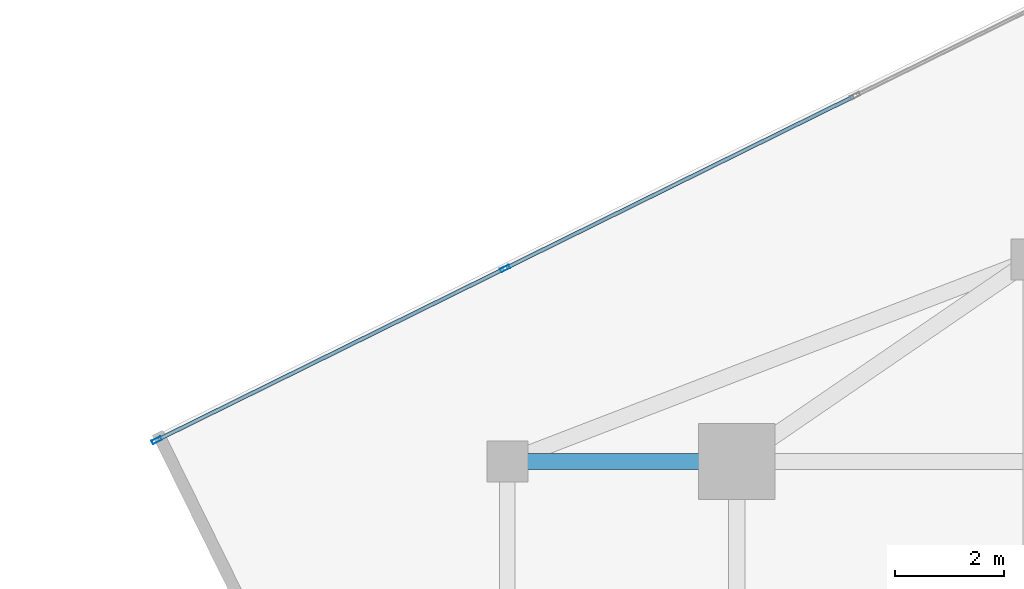
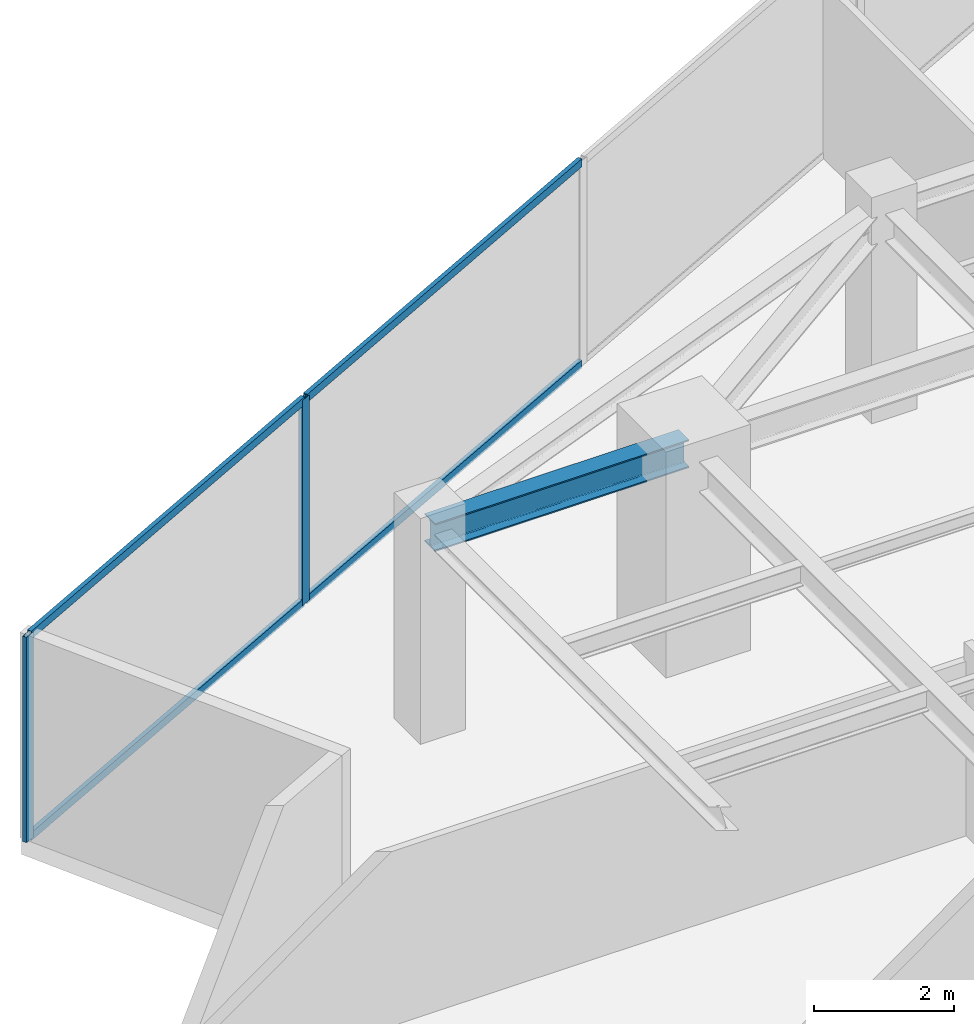
# One storey, part 12 of 22: 6 members, 1 beam, 1 element without a shape of its own.
"""IFC4 building model written with IfcOpenShell, lengths in metres."""

from ifc_helpers import new_model, si_unit, direction, frame, origin, origin_2d, place, context, subcontext, project, spatial, hollow_rectangle, i_section, extrude, source, transform, mapped, material, material_profile, profile_set, type_object, type_shapes, element, aggregate, save


model = new_model("IFC4")

# Units and contexts
model_context = context("Model", 3, precision=1e-05, world=origin(), true_north=direction((0.0, 1.0)))
body_context = subcontext(model_context, "Body", "Model", "MODEL_VIEW")
ifc_project = project(units=[si_unit("LENGTHUNIT", "METRE"), si_unit("AREAUNIT", "SQUARE_METRE"), si_unit("VOLUMEUNIT", "CUBIC_METRE"), si_unit("PLANEANGLEUNIT", "RADIAN"), si_unit("MASSUNIT", "GRAM", prefix="KILO")], contexts=[model_context])

# Site, building, storey
site_placement = place(None, origin())
site = spatial("IfcSite", under=ifc_project, at=site_placement, CompositionType="ELEMENT")
building_placement = place(site_placement, origin())
building = spatial("IfcBuilding", under=site, at=building_placement, Name="Krantzveldt Concourse Tower", CompositionType="ELEMENT")
storey_placement = place(building_placement, frame((0.0, 0.0, 314.800048828125)))
storey = spatial("IfcBuildingStorey", under=building, at=storey_placement, Name="L77", CompositionType="ELEMENT", Elevation=314.800048828125)

# Beam
ifc_material_1 = material(Name="Steel S355JR", Category="steel")
ifc_material_profile_1 = material_profile(ifc_material_1, i_section(OverallWidth=0.300048828125, OverallDepth=0.489990234375, WebThickness=0.011962890625, FlangeThickness=0.02294921875, FilletRadius=0.027099609375, at=origin_2d()), Name="Steel S355JR", Category="steel")
ifc_profile_set_1 = profile_set([ifc_material_profile_1], Name="Steel S355JR - HEA 500")
beam_type = type_object("IfcBeamType", Name="BM-B-HEA500", PredefinedType="BEAM", material=ifc_profile_set_1)
shared_shape_1 = source(origin(), body_context, "Body", "SweptSolid", [
    extrude(i_section(OverallWidth=0.300048828125, OverallDepth=0.489990234375, WebThickness=0.011962890625, FlangeThickness=0.02294921875, FilletRadius=0.027099609375, at=origin_2d()), origin(), (0.0, 0.0, 1.0), 4.199951171875),
])
type_shapes(beam_type, [shared_shape_1])
beam_placement = place(storey_placement, frame((21.0, 37.5, 3.344970703125), z_axis=(1.0, 0.0, 0.0), x_axis=(0.0, 1.0, 0.0)))
element("IfcBeam", 1, at=beam_placement, inside=storey, type_object=beam_type, Name="L77 Tower Girder BR-RL3", PredefinedType="BEAM", context=body_context, shape_type="MappedRepresentation", body=[
    mapped(shared_shape_1, transform((0.0, 0.0, 0.0), x_axis=(1.0, 0.0, 0.0), y_axis=(0.0, 1.0, 0.0), z_axis=(0.0, 0.0, 1.0), scale=1.0)),
])

# Curtain wall, members
ifc_material_2 = material(Name="Anodised aluminium 6063-T6", Category="aluminium")
curtain_wall_type = type_object("IfcCurtainWallType", Name="CW4", PredefinedType="USERDEFINED", material=ifc_material_2)
curtain_wall_placement = place(storey_placement, origin())
curtain_wall = element("IfcCurtainWall", 2, at=curtain_wall_placement, inside=storey, type_object=curtain_wall_type, Name="CW-L77-F01", ObjectType="UNITISED CURTAIN WALL", PredefinedType="USERDEFINED")
ifc_material_profile_2 = material_profile(ifc_material_2, hollow_rectangle(XDim=0.070068359375, YDim=0.179931640625, WallThickness=0.0048828125, at=origin_2d()), Name="Anodised aluminium 6063-T6", Category="aluminium")
ifc_profile_set_2 = profile_set([ifc_material_profile_2], Name="Anodised aluminium 6063-T6 - ALU-MULL 180x70x5")
member_type_1 = type_object("IfcMemberType", Name="CW-MUL-180", PredefinedType="MULLION", material=ifc_profile_set_2)
shared_shape_2 = source(origin(), body_context, "Body", "SweptSolid", [
    extrude(hollow_rectangle(XDim=0.070068359375, YDim=0.179931640625, WallThickness=0.0048828125, at=origin_2d()), origin(), (0.0, 0.0, 1.0), 3.58984375),
])
type_shapes(member_type_1, [shared_shape_2])
member_1_placement = place(storey_placement, frame((20.958251953125, 41.03564453125, 0.0), z_axis=(0.0, 0.0, 1.0), x_axis=(0.442288511927, -0.896872829457, 0.0)))
member_1 = element("IfcMember", 3, at=member_1_placement, type_object=member_type_1, Name="CW-Z56 mullion 4", PredefinedType="MULLION", context=body_context, shape_type="MappedRepresentation", body=[
    mapped(shared_shape_2, transform((0.0, 0.0, 0.0), x_axis=(1.0, 0.0, 0.0), y_axis=(0.0, 1.0, 0.0), z_axis=(0.0, 0.0, 1.0), scale=1.0)),
])
member_2_placement = place(storey_placement, frame((14.5771484375, 37.888671875, 0.0), z_axis=(0.0, 0.0, 1.0), x_axis=(0.442288511927, -0.896872829457, 0.0)))
member_2 = element("IfcMember", 4, at=member_2_placement, type_object=member_type_1, Name="CW-Z56 mullion 5", PredefinedType="MULLION", context=body_context, shape_type="MappedRepresentation", body=[
    mapped(shared_shape_2, transform((0.0, 0.0, 0.0), x_axis=(1.0, 0.0, 0.0), y_axis=(0.0, 1.0, 0.0), z_axis=(0.0, 0.0, 1.0), scale=1.0)),
])
ifc_material_profile_3 = material_profile(ifc_material_2, hollow_rectangle(XDim=0.070068359375, YDim=0.139892578125, WallThickness=0.0048828125, at=origin_2d()), Name="Anodised aluminium 6063-T6", Category="aluminium")
ifc_profile_set_3 = profile_set([ifc_material_profile_3], Name="Anodised aluminium 6063-T6 - ALU-TRAN 140x70x5")
member_type_2 = type_object("IfcMemberType", Name="CW-TRN-150", PredefinedType="USERDEFINED", material=ifc_profile_set_3)
shared_shape_3 = source(origin(), body_context, "Body", "SweptSolid", [
    extrude(hollow_rectangle(XDim=0.070068359375, YDim=0.139892578125, WallThickness=0.0048828125, at=origin_2d()), origin(), (0.0, 0.0, 1.0), 7.080078125),
])
member_3_placement = place(storey_placement, frame((27.339599609375, 44.1826171875, 0.034912109375), z_axis=(-0.896862063633, -0.442310342198, 0.0), x_axis=(0.442310342198, -0.896862063633, 0.0)))
member_3 = element("IfcMember", 5, at=member_3_placement, type_object=member_type_2, Name="CW-Z56 transom 3.1", ObjectType="TRANSOM", PredefinedType="USERDEFINED", context=body_context, shape_type="MappedRepresentation", body=[
    mapped(shared_shape_3, transform((0.0, 0.0, 0.0), x_axis=(1.0, 0.0, 0.0), y_axis=(0.0, 1.0, 0.0), z_axis=(0.0, 0.0, 1.0), scale=1.0)),
])
member_4_placement = place(storey_placement, frame((27.339599609375, 44.1826171875, 3.554931640625), z_axis=(-0.896862063633, -0.442310342198, 0.0), x_axis=(0.442310342198, -0.896862063633, 0.0)))
member_4 = element("IfcMember", 6, at=member_4_placement, type_object=member_type_2, Name="CW-Z56 transom 3.2", ObjectType="TRANSOM", PredefinedType="USERDEFINED", context=body_context, shape_type="MappedRepresentation", body=[
    mapped(shared_shape_3, transform((0.0, 0.0, 0.0), x_axis=(1.0, 0.0, 0.0), y_axis=(0.0, 1.0, 0.0), z_axis=(0.0, 0.0, 1.0), scale=1.0)),
])
shared_shape_4 = source(origin(), body_context, "Body", "SweptSolid", [
    extrude(hollow_rectangle(XDim=0.070068359375, YDim=0.139892578125, WallThickness=0.0048828125, at=origin_2d()), origin(), (0.0, 0.0, 1.0), 7.045166015625),
])
type_shapes(member_type_2, [shared_shape_3, shared_shape_4])
member_5_placement = place(storey_placement, frame((20.927001953125, 41.020263671875, 0.034912109375), z_axis=(-0.896874071777, -0.44228599274, 0.0), x_axis=(0.44228599274, -0.896874071777, 0.0)))
member_5 = element("IfcMember", 7, at=member_5_placement, type_object=member_type_2, Name="CW-Z56 transom 4.1", ObjectType="TRANSOM", PredefinedType="USERDEFINED", context=body_context, shape_type="MappedRepresentation", body=[
    mapped(shared_shape_4, transform((0.0, 0.0, 0.0), x_axis=(1.0, 0.0, 0.0), y_axis=(0.0, 1.0, 0.0), z_axis=(0.0, 0.0, 1.0), scale=1.0)),
])
member_6_placement = place(storey_placement, frame((20.927001953125, 41.020263671875, 3.554931640625), z_axis=(-0.896874071777, -0.44228599274, 0.0), x_axis=(0.44228599274, -0.896874071777, 0.0)))
member_6 = element("IfcMember", 8, at=member_6_placement, type_object=member_type_2, Name="CW-Z56 transom 4.2", ObjectType="TRANSOM", PredefinedType="USERDEFINED", context=body_context, shape_type="MappedRepresentation", body=[
    mapped(shared_shape_4, transform((0.0, 0.0, 0.0), x_axis=(1.0, 0.0, 0.0), y_axis=(0.0, 1.0, 0.0), z_axis=(0.0, 0.0, 1.0), scale=1.0)),
])
aggregate(curtain_wall, [member_1, member_2, member_3, member_4, member_5, member_6])

save(model, "model.ifc")
